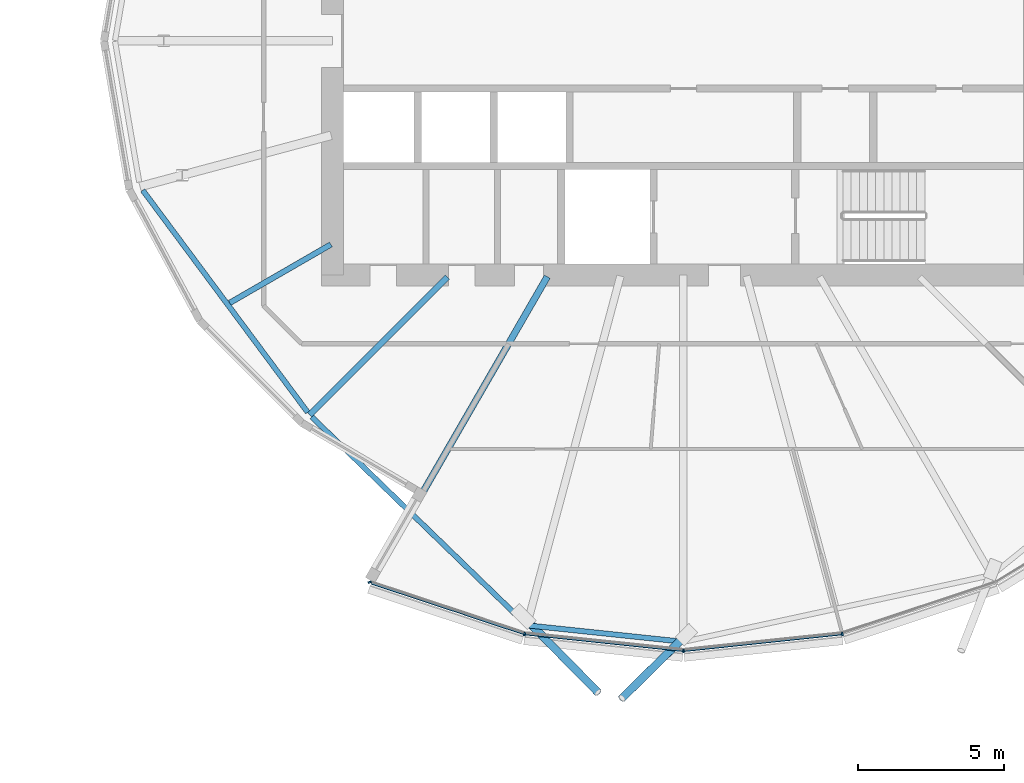
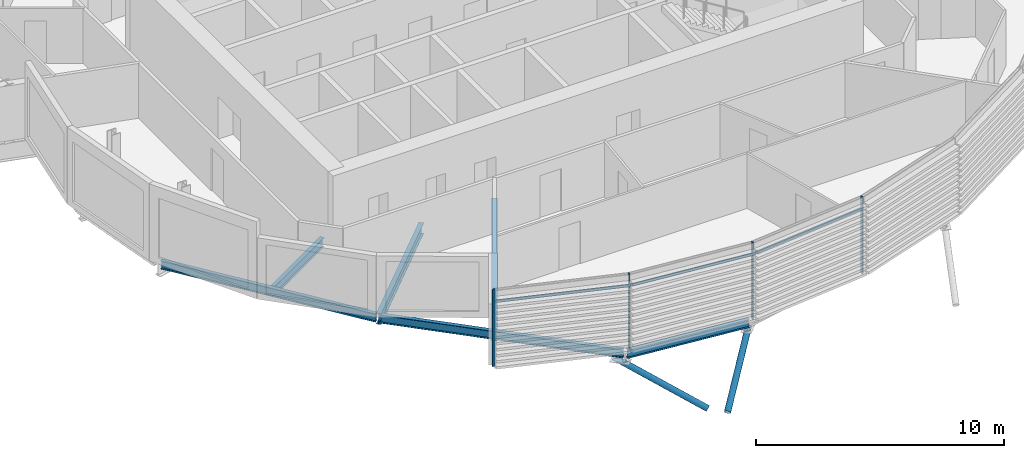
# One storey, part 3 of 39: 9 members, 6 beams, 1 element without a shape of its own.
"""IFC4 building model written with IfcOpenShell, lengths in metres."""

from ifc_helpers import new_model, si_unit, direction, frame, origin, origin_2d, place, context, subcontext, project, spatial, rectangle, hollow_circle, i_section, extrude, clip, halfspace, material, material_profile, profile_set, type_object, element, aggregate, save


model = new_model("IFC4")

# Units and contexts
model_context = context("Model", 3, precision=1e-05, world=origin(), true_north=direction((0.0, 1.0)))
body_context = subcontext(model_context, "Body", "Model", "MODEL_VIEW")
ifc_project = project(units=[si_unit("LENGTHUNIT", "METRE"), si_unit("AREAUNIT", "SQUARE_METRE"), si_unit("VOLUMEUNIT", "CUBIC_METRE"), si_unit("PLANEANGLEUNIT", "RADIAN"), si_unit("MASSUNIT", "GRAM", prefix="KILO")], contexts=[model_context])

# Site, building, storey
site_placement = place(None, origin())
site = spatial("IfcSite", under=ifc_project, at=site_placement, CompositionType="ELEMENT")
building_placement = place(site_placement, origin())
building = spatial("IfcBuilding", under=site, at=building_placement, Name="Rimbun Link Towers", CompositionType="ELEMENT")
storey_placement = place(building_placement, frame((0.0, 0.0, 112.0)))
storey = spatial("IfcBuildingStorey", under=building, at=storey_placement, Name="L27", CompositionType="ELEMENT", Elevation=112.0)

# Curtain wall, members
ifc_material_1 = material(Name="Aluminium 6063-T6 and low-iron glass", Category="aluminium")
curtain_wall_type = type_object("IfcCurtainWallType", Name="CW1-Z2 unitised vision wall (zone 2)", PredefinedType="NOTDEFINED", material=ifc_material_1)
curtain_wall_placement = place(storey_placement, origin())
curtain_wall = element("IfcCurtainWall", 1, at=curtain_wall_placement, inside=storey, type_object=curtain_wall_type, Name="CW1 L27 T1", PredefinedType="NOTDEFINED")
ifc_material_2 = material(Name="Aluminium 6063-T6", Category="aluminium")
ifc_material_profile_1 = material_profile(ifc_material_2, rectangle(XDim=0.1201171875, YDim=0.06005859375, at=origin_2d()), Name="MULLION 60X120")
ifc_profile_set_1 = profile_set([ifc_material_profile_1], Name="Aluminium 6063-T6")
member_type_1 = type_object("IfcMemberType", Name="CW1 mullion 60X120", PredefinedType="MULLION", material=ifc_profile_set_1)
member_1_placement = place(storey_placement, frame((-37.179931640625, -20.276123046875, 0.0), z_axis=(0.0, 0.0, 1.0), x_axis=(-0.210864978702, -0.9775151972, 0.0)))
member_1 = element("IfcMember", 2, at=member_1_placement, type_object=member_type_1, Name="CW1 mullion", PredefinedType="MULLION", context=body_context, shape_type="SweptSolid", body=[
    extrude(rectangle(XDim=0.1201171875, YDim=0.06005859375, at=origin_2d()), origin(), (0.0, 0.0, 1.0), 3.800048828125),
])
member_2_placement = place(storey_placement, frame((-42.47412109375, -18.498779296875, 0.0), z_axis=(0.0, 0.0, 1.0), x_axis=(-0.934621994877, -0.355642695261, 0.0)))
member_2 = element("IfcMember", 3, at=member_2_placement, type_object=member_type_1, Name="CW1 mullion", PredefinedType="MULLION", context=body_context, shape_type="SweptSolid", body=[
    extrude(rectangle(XDim=0.1201171875, YDim=0.06005859375, at=origin_2d()), origin(), (0.0, 0.0, 1.0), 3.800048828125),
])
member_3_placement = place(storey_placement, frame((-31.75, -20.847900390625, 0.0), z_axis=(0.0, 0.0, 1.0), x_axis=(0.0, -1.0, 0.0)))
member_3 = element("IfcMember", 4, at=member_3_placement, type_object=member_type_1, Name="CW1 mullion", PredefinedType="MULLION", context=body_context, shape_type="SweptSolid", body=[
    extrude(rectangle(XDim=0.1201171875, YDim=0.06005859375, at=origin_2d()), origin(), (0.0, 0.0, 1.0), 3.800048828125),
])
member_4_placement = place(storey_placement, frame((-26.320068359375, -20.276123046875, 0.0), z_axis=(0.0, 0.0, 1.0), x_axis=(0.210864978702, -0.9775151972, 0.0)))
member_4 = element("IfcMember", 5, at=member_4_placement, type_object=member_type_1, Name="CW1 mullion", PredefinedType="MULLION", context=body_context, shape_type="SweptSolid", body=[
    extrude(rectangle(XDim=0.1201171875, YDim=0.06005859375, at=origin_2d()), origin(), (0.0, 0.0, 1.0), 3.800048828125),
])
ifc_material_3 = material(Name="Aluminium 6063-T6", Category="aluminium")
ifc_material_profile_2 = material_profile(ifc_material_3, rectangle(XDim=0.06005859375, YDim=0.1201171875, at=origin_2d()), Name="TRANSOM 60X120")
ifc_profile_set_2 = profile_set([ifc_material_profile_2], Name="Aluminium 6063-T6")
member_type_2 = type_object("IfcMemberType", Name="CW1 transom 60X120", PredefinedType="USERDEFINED", material=ifc_profile_set_2)
member_5_placement = place(storey_placement, frame((-37.214111328125, -20.26318359375, 3.199951171875), z_axis=(-0.949230712226, 0.314580760645, 0.0), x_axis=(-0.314580760645, -0.949230712226, 0.0)))
member_5 = element("IfcMember", 6, at=member_5_placement, type_object=member_type_2, Name="CW1 transom", ObjectType="TRANSOM", PredefinedType="USERDEFINED", context=body_context, shape_type="SweptSolid", body=[
    extrude(rectangle(XDim=0.06005859375, YDim=0.1201171875, at=origin_2d()), origin(), (0.0, 0.0, 1.0), 5.471435546875),
])
member_6_placement = place(storey_placement, frame((-31.785888671875, -20.842529296875, 3.199951171875), z_axis=(-0.994500733886, 0.104729605651, 0.0), x_axis=(-0.104729605651, -0.994500733886, 0.0)))
member_6 = element("IfcMember", 7, at=member_6_placement, type_object=member_type_2, Name="CW1 transom", ObjectType="TRANSOM", PredefinedType="USERDEFINED", context=body_context, shape_type="SweptSolid", body=[
    extrude(rectangle(XDim=0.06005859375, YDim=0.1201171875, at=origin_2d()), origin(), (0.0, 0.0, 1.0), 5.38720703125),
])
member_7_placement = place(storey_placement, frame((-26.3564453125, -20.2783203125, 3.199951171875), z_axis=(-0.994500733886, -0.104729605651, 0.0), x_axis=(0.104729605651, -0.994500733886, 0.0)))
member_7 = element("IfcMember", 8, at=member_7_placement, type_object=member_type_2, Name="CW1 transom", ObjectType="TRANSOM", PredefinedType="USERDEFINED", context=body_context, shape_type="SweptSolid", body=[
    extrude(rectangle(XDim=0.06005859375, YDim=0.1201171875, at=origin_2d()), origin(), (0.0, 0.0, 1.0), 5.38720703125),
])
aggregate(curtain_wall, [member_1, member_2, member_3, member_4, member_5, member_6, member_7])

# Members
ifc_material_4 = material(Name="Steel S355J2H", Category="steel")
ifc_material_profile_3 = material_profile(ifc_material_4, hollow_circle(Radius=0.136474609375, WallThickness=0.012451171875, at=origin_2d()), Name="CHS 273x12.5")
ifc_profile_set_3 = profile_set([ifc_material_profile_3], Name="Steel S355J2H")
member_type_3 = type_object("IfcMemberType", Name="Floor edge link CHS 273x12.5", PredefinedType="BRACE", material=ifc_profile_set_3)
member_8_placement = place(storey_placement, frame((-37.065185546875, -19.8369140625, -0.968017578125), z_axis=(0.638246935158, -0.647458345341, -0.416459530818), x_axis=(0.712154556673, 0.702022711463, 0.0)))
element("IfcMember", 9, at=member_8_placement, inside=storey, type_object=member_type_3, Name="Floor edge link T1 L27 17", PredefinedType="BRACE", context=body_context, shape_type="Clipping", body=[
    clip(extrude(hollow_circle(Radius=0.136474609375, WallThickness=0.012451171875, at=origin_2d()), frame((0.0, 0.0, -0.6201171875)), (0.0, 0.0, 1.0), 4.3837890625), halfspace(frame((0.0, 0.0, -0.294189453125), z_axis=(0.0, 0.909154254894, -0.416459530818)), False)),
])
member_9_placement = place(storey_placement, frame((-31.75, -20.396240234375, -0.9580078125), z_axis=(-0.59711465377, -0.588393609795, -0.545203677726), x_axis=(0.7018860467, -0.712289251251, 0.0)))
element("IfcMember", 10, at=member_9_placement, inside=storey, type_object=member_type_3, Name="Floor edge link T1 L27 18", PredefinedType="BRACE", context=body_context, shape_type="Clipping", body=[
    clip(extrude(hollow_circle(Radius=0.136474609375, WallThickness=0.012451171875, at=origin_2d()), frame((0.0, 0.0, -0.438232421875)), (0.0, 0.0, 1.0), 3.965576171875), halfspace(frame((0.0, 0.0, -0.206298828125), z_axis=(0.0, 0.838303614327, -0.545203677726)), False)),
])

# Beams
ifc_material_5 = material(Name="Steel S355J2", Category="steel")
ifc_material_profile_4 = material_profile(ifc_material_5, i_section(OverallWidth=0.177978515625, OverallDepth=0.406494140625, WebThickness=0.0078125, FlangeThickness=0.0126953125, at=origin_2d()), Name="UB 406x178x60")
ifc_profile_set_4 = profile_set([ifc_material_profile_4], Name="Steel S355J2")
beam_type_1 = type_object("IfcBeamType", Name="UB 406x178x60", PredefinedType="BEAM", material=ifc_profile_set_4)
beam_1_placement = place(storey_placement, frame((-50.230224609375, -5.10400390625, -0.36328125), z_axis=(0.596386760347, -0.802697223169, 0.0), x_axis=(0.802697223169, 0.596386760347, 0.0)))
element("IfcBeam", 11, at=beam_1_placement, inside=storey, type_object=beam_type_1, Name="Edge beam T1 L27 13-15", PredefinedType="BEAM", context=body_context, shape_type="SweptSolid", body=[
    extrude(i_section(OverallWidth=0.177978515625, OverallDepth=0.406494140625, WebThickness=0.0078125, FlangeThickness=0.0126953125, at=origin_2d()), origin(), (0.0, 0.0, 1.0), 9.453857421875),
])
beam_2_placement = place(storey_placement, frame((-44.452392578125, -12.851806640625, -0.36328125), z_axis=(0.718222837209, -0.695813161784, 0.0), x_axis=(0.695813161784, 0.718222837209, 0.0)))
element("IfcBeam", 12, at=beam_2_placement, inside=storey, type_object=beam_type_1, Name="Edge beam T1 L27 15-17", PredefinedType="BEAM", context=body_context, shape_type="SweptSolid", body=[
    extrude(i_section(OverallWidth=0.177978515625, OverallDepth=0.406494140625, WebThickness=0.0078125, FlangeThickness=0.0126953125, at=origin_2d()), origin(), (0.0, 0.0, 1.0), 10.088134765625),
])
beam_3_placement = place(storey_placement, frame((-37.100830078125, -19.97314453125, -0.36328125), z_axis=(0.994498985363, -0.104746208106, 0.0), x_axis=(0.104746208106, 0.994498985363, 0.0)))
element("IfcBeam", 13, at=beam_3_placement, inside=storey, type_object=beam_type_1, Name="Edge beam T1 L27 17", PredefinedType="BEAM", context=body_context, shape_type="SweptSolid", body=[
    extrude(i_section(OverallWidth=0.177978515625, OverallDepth=0.406494140625, WebThickness=0.0078125, FlangeThickness=0.0126953125, at=origin_2d()), origin(), (0.0, 0.0, 1.0), 5.37939453125),
])
ifc_material_6 = material(Name="Steel S355J2", Category="steel")
ifc_material_profile_5 = material_profile(ifc_material_6, i_section(OverallWidth=0.18994140625, OverallDepth=0.453369140625, WebThickness=0.008544921875, FlangeThickness=0.0126953125, at=origin_2d()), Name="UB 457x191x67")
ifc_profile_set_5 = profile_set([ifc_material_profile_5], Name="Steel S355J2")
beam_type_2 = type_object("IfcBeamType", Name="UB 457x191x67", PredefinedType="BEAM", material=ifc_profile_set_5)
beam_4_placement = place(storey_placement, frame((-43.79833984375, -6.9560546875, -0.38671875), z_axis=(-0.866015630196, -0.50001692797, 0.0), x_axis=(0.50001692797, -0.866015630196, 0.0)))
element("IfcBeam", 14, at=beam_4_placement, inside=storey, type_object=beam_type_2, Name="Radial beam T1 L27 14", PredefinedType="BEAM", context=body_context, shape_type="SweptSolid", body=[
    extrude(i_section(OverallWidth=0.18994140625, OverallDepth=0.453369140625, WebThickness=0.008544921875, FlangeThickness=0.0126953125, at=origin_2d()), origin(), (0.0, 0.0, 1.0), 3.994873046875),
])
ifc_material_7 = material(Name="Steel S355J2", Category="steel")
ifc_material_profile_6 = material_profile(ifc_material_7, i_section(OverallWidth=0.209228515625, OverallDepth=0.533203125, WebThickness=0.010009765625, FlangeThickness=0.015625, at=origin_2d()), Name="UB 533x210x92")
ifc_profile_set_6 = profile_set([ifc_material_profile_6], Name="Steel S355J2")
beam_type_3 = type_object("IfcBeamType", Name="UB 533x210x92", PredefinedType="BEAM", material=ifc_profile_set_6)
beam_5_placement = place(storey_placement, frame((-39.82470703125, -8.07470703125, -0.426513671875), z_axis=(-0.707106781187, -0.707106781187, 0.0), x_axis=(0.707106781187, -0.707106781187, 0.0)))
element("IfcBeam", 15, at=beam_5_placement, inside=storey, type_object=beam_type_3, Name="Radial beam T1 L27 15", PredefinedType="BEAM", context=body_context, shape_type="SweptSolid", body=[
    extrude(i_section(OverallWidth=0.209228515625, OverallDepth=0.533203125, WebThickness=0.010009765625, FlangeThickness=0.015625, at=origin_2d()), origin(), (0.0, 0.0, 1.0), 6.65185546875),
])
ifc_material_8 = material(Name="Steel S355J2", Category="steel")
ifc_material_profile_7 = material_profile(ifc_material_8, i_section(OverallWidth=0.2275390625, OverallDepth=0.6025390625, WebThickness=0.010498046875, FlangeThickness=0.014892578125, at=origin_2d()), Name="UB 610x229x101")
ifc_profile_set_7 = profile_set([ifc_material_profile_7], Name="Steel S355J2")
beam_type_4 = type_object("IfcBeamType", Name="UB 610x229x101", PredefinedType="BEAM", material=ifc_profile_set_7)
beam_6_placement = place(storey_placement, frame((-36.402099609375, -8.057861328125, -0.461181640625), z_axis=(-0.4999956107, -0.866027937933, 0.0), x_axis=(0.866027937933, -0.4999956107, 0.0)))
element("IfcBeam", 16, at=beam_6_placement, inside=storey, type_object=beam_type_4, Name="Radial beam T1 L27 16", PredefinedType="BEAM", context=body_context, shape_type="SweptSolid", body=[
    extrude(i_section(OverallWidth=0.2275390625, OverallDepth=0.6025390625, WebThickness=0.010498046875, FlangeThickness=0.014892578125, at=origin_2d()), origin(), (0.0, 0.0, 1.0), 9.232421875),
])

save(model, "model.ifc")
